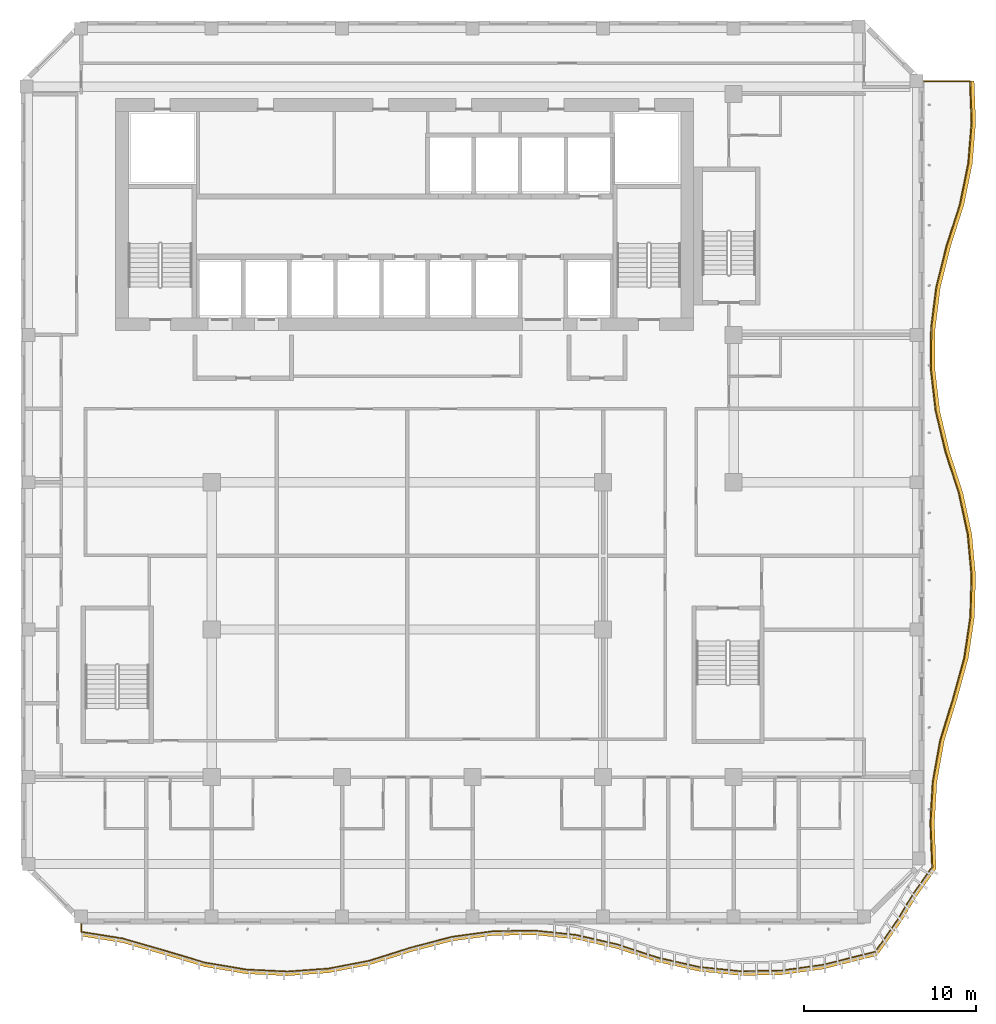
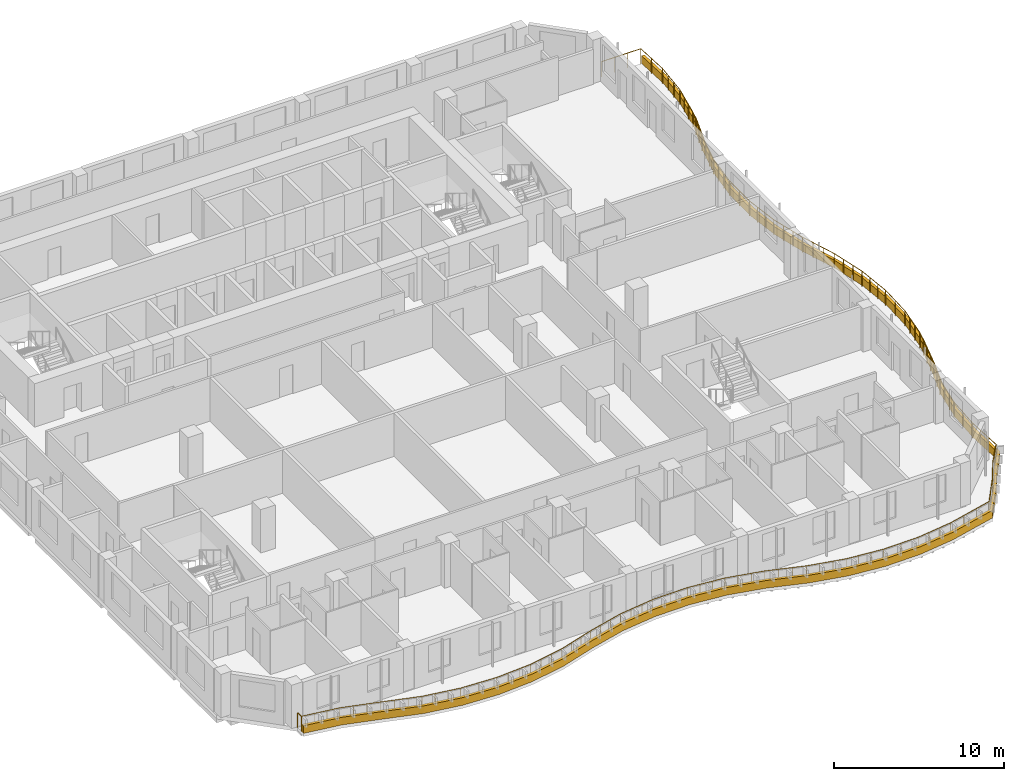
# One storey, part 17 of 21: 1 railing, 1 shading device.
"""IFC4 building model written with IfcOpenShell, lengths in metres."""

from ifc_helpers import new_model, si_unit, direction, frame, origin, origin_2d, place, context, subcontext, project, spatial, polyline, circle, outline, extrude, source, transform, mapped, material, layer, layer_set, type_object, element, save


model = new_model("IFC4")

# Units and contexts
model_context = context("Model", 3, precision=1e-05, world=origin(), true_north=direction((0.0, 1.0)))
body_context = subcontext(model_context, "Body", "Model", "MODEL_VIEW")
ifc_project = project(units=[si_unit("LENGTHUNIT", "METRE"), si_unit("AREAUNIT", "SQUARE_METRE"), si_unit("VOLUMEUNIT", "CUBIC_METRE"), si_unit("PLANEANGLEUNIT", "RADIAN"), si_unit("MASSUNIT", "GRAM", prefix="KILO")], contexts=[model_context])

# Site, building, storey
site_placement = place(None, origin())
site = spatial("IfcSite", under=ifc_project, at=site_placement, CompositionType="ELEMENT")
building_placement = place(site_placement, origin())
building = spatial("IfcBuilding", under=site, at=building_placement, Name="Kilnfold Tower and Market Hall", CompositionType="ELEMENT")
storey_placement = place(building_placement, frame((0.0, 0.0, 210.10009765625)))
storey = spatial("IfcBuildingStorey", under=building, at=storey_placement, Name="L51", CompositionType="ELEMENT", Elevation=210.10009765625)

# Railing
ifc_material_1 = material(Name="Stainless steel and laminated glass", Category="steel")
railing_type = type_object("IfcRailingType", Name="GUARD 1100", PredefinedType="GUARDRAIL", material=ifc_material_1)
railing_placement = place(storey_placement, frame((-17.75, -26.25, 0.0)))
element("IfcRailing", 1, at=railing_placement, inside=storey, type_object=railing_type, Name="Guard balcony L51", PredefinedType="GUARDRAIL", context=body_context, shape_type="SweptSolid", body=[
    extrude(circle(Radius=0.02490234375, at=origin_2d()), frame((0.0, 0.0, 1.0751953125), z_axis=(0.0, -1.0, 0.0), x_axis=(1.0, 0.0, 0.0)), (0.0, 0.0, 1.0), 0.4453125),
    extrude(circle(Radius=0.02490234375, at=origin_2d()), frame((0.0, -0.4453125, 1.0751953125), z_axis=(0.987650865761, -0.156670888686, 0.0), x_axis=(0.156670888686, 0.987650865761, 0.0)), (0.0, 0.0, 1.0), 2.4248046875),
    extrude(circle(Radius=0.02490234375, at=origin_2d()), frame((2.394775390625, -0.8251953125, 1.0751953125), z_axis=(0.961227557849, -0.275756381669, 0.0), x_axis=(0.275756381669, 0.961227557849, 0.0)), (0.0, 0.0, 1.0), 2.491455078125),
    extrude(circle(Radius=0.02490234375, at=origin_2d()), frame((4.78955078125, -1.51220703125, 1.0751953125), z_axis=(0.958239394231, -0.285967241733, 0.0), x_axis=(0.285967241733, 0.958239394231, 0.0)), (0.0, 0.0, 1.0), 2.498779296875),
    extrude(circle(Radius=0.02490234375, at=origin_2d()), frame((7.18408203125, -2.226806640625, 1.0751953125), z_axis=(0.985930978156, -0.167152942876, 0.0), x_axis=(0.167152942876, 0.985930978156, 0.0)), (0.0, 0.0, 1.0), 2.428955078125),
    extrude(circle(Radius=0.02490234375, at=origin_2d()), frame((9.578857421875, -2.6328125, 1.0751953125), z_axis=(0.998829571825, -0.048368238008, 0.0), x_axis=(0.048368238008, 0.998829571825, 0.0)), (0.0, 0.0, 1.0), 2.3974609375),
    extrude(circle(Radius=0.02490234375, at=origin_2d()), frame((11.9736328125, -2.748779296875, 1.0751953125), z_axis=(0.997499316582, 0.070676116324, 0.0), x_axis=(-0.070676116324, 0.997499316582, 0.0)), (0.0, 0.0, 1.0), 2.40087890625),
    extrude(circle(Radius=0.02490234375, at=origin_2d()), frame((14.368408203125, -2.5791015625, 1.0751953125), z_axis=(0.981864089464, 0.189586154087, 0.0), x_axis=(-0.189586154087, 0.981864089464, 0.0)), (0.0, 0.0, 1.0), 2.43896484375),
    extrude(circle(Radius=0.02490234375, at=origin_2d()), frame((16.76318359375, -2.11669921875, 1.0751953125), z_axis=(0.953347353448, 0.301875510226, 0.0), x_axis=(-0.301875510226, 0.953347353448, 0.0)), (0.0, 0.0, 1.0), 2.511962890625),
    extrude(circle(Radius=0.02490234375, at=origin_2d()), frame((19.157958984375, -1.3583984375, 1.0751953125), z_axis=(0.967366467513, 0.253381367765, 0.0), x_axis=(-0.253381367765, 0.967366467513, 0.0)), (0.0, 0.0, 1.0), 2.475341796875),
    extrude(circle(Radius=0.02490234375, at=origin_2d()), frame((21.552490234375, -0.731201171875, 1.0751953125), z_axis=(0.99093436759, 0.134346861253, 0.0), x_axis=(-0.134346861253, 0.99093436759, 0.0)), (0.0, 0.0, 1.0), 2.4169921875),
    extrude(circle(Radius=0.02490234375, at=origin_2d()), frame((23.947509765625, -0.406494140625, 1.0751953125), z_axis=(0.999879934552, 0.015495692297, 0.0), x_axis=(-0.015495692297, 0.999879934552, 0.0)), (0.0, 0.0, 1.0), 2.394775390625),
    extrude(circle(Radius=0.02490234375, at=origin_2d()), frame((26.342041015625, -0.369384765625, 1.0751953125), z_axis=(0.994626460365, -0.103528760937, 0.0), x_axis=(0.103528760937, 0.994626460365, 0.0)), (0.0, 0.0, 1.0), 2.40771484375),
    extrude(circle(Radius=0.02490234375, at=origin_2d()), frame((28.73681640625, -0.61865234375, 1.0751953125), z_axis=(0.974967577749, -0.2223470763, 0.0), x_axis=(0.2223470763, 0.974967577749, 0.0)), (0.0, 0.0, 1.0), 2.456298828125),
    extrude(circle(Radius=0.02490234375, at=origin_2d()), frame((31.131591796875, -1.164794921875, 1.0751953125), z_axis=(0.950660885118, -0.310231980147, 0.0), x_axis=(0.310231980147, 0.950660885118, 0.0)), (0.0, 0.0, 1.0), 2.51904296875),
    extrude(circle(Radius=0.02490234375, at=origin_2d()), frame((33.5263671875, -1.9462890625, 1.0751953125), z_axis=(0.975375488217, -0.220550803636, 0.0), x_axis=(0.220550803636, 0.975375488217, 0.0)), (0.0, 0.0, 1.0), 2.455322265625),
    extrude(circle(Radius=0.02490234375, at=origin_2d()), frame((35.921142578125, -2.48779296875, 1.0751953125), z_axis=(0.994833306385, -0.101521881914, 0.0), x_axis=(0.101521881914, 0.994833306385, 0.0)), (0.0, 0.0, 1.0), 2.4072265625),
    extrude(circle(Radius=0.02490234375, at=origin_2d()), frame((38.31591796875, -2.732177734375, 1.0751953125), z_axis=(0.99984982104, 0.017330186539, 0.0), x_axis=(-0.017330186539, 0.99984982104, 0.0)), (0.0, 0.0, 1.0), 2.394775390625),
    extrude(circle(Radius=0.02490234375, at=origin_2d()), frame((40.71044921875, -2.690673828125, 1.0751953125), z_axis=(0.990661625128, 0.136343479857, 0.0), x_axis=(-0.136343479857, 0.990661625128, 0.0)), (0.0, 0.0, 1.0), 2.417236328125),
    extrude(circle(Radius=0.02490234375, at=origin_2d()), frame((43.105224609375, -2.361083984375, 1.0751953125), z_axis=(0.970156174139, 0.242480922508, 0.0), x_axis=(-0.242480922508, 0.970156174139, 0.0)), (0.0, 0.0, 1.0), 3.150390625),
    extrude(circle(Radius=0.02490234375, at=origin_2d()), frame((46.16162109375, -1.59716796875, 1.0751953125), z_axis=(0.569599000783, 0.821922732565, 0.0), x_axis=(-0.821922732565, 0.569599000783, 0.0)), (0.0, 0.0, 1.0), 2.349365234375),
    extrude(circle(Radius=0.02490234375, at=origin_2d()), frame((47.499755859375, 0.333740234375, 1.0751953125), z_axis=(0.514179076421, 0.857682853606, 0.0), x_axis=(-0.857682853606, 0.514179076421, 0.0)), (0.0, 0.0, 1.0), 1.70068359375),
    extrude(circle(Radius=0.02490234375, at=origin_2d()), frame((48.374267578125, 1.79248046875, 1.0751953125), z_axis=(0.581089588577, 0.813839597247, 0.0), x_axis=(-0.813839597247, 0.581089588577, 0.0)), (0.0, 0.0, 1.0), 1.864990234375),
    extrude(circle(Radius=0.02490234375, at=origin_2d()), frame((49.4580078125, 3.310302734375, 1.0751953125), z_axis=(-0.041716911587, 0.999129470733, 0.0), x_axis=(-0.999129470733, -0.041716911587, 0.0)), (0.0, 0.0, 1.0), 2.586669921875),
    extrude(circle(Radius=0.02490234375, at=origin_2d()), frame((49.35009765625, 5.894775390625, 1.0751953125), z_axis=(0.058113467334, 0.998309984381, 0.0), x_axis=(-0.998309984381, 0.058113467334, 0.0)), (0.0, 0.0, 1.0), 2.39892578125),
    extrude(circle(Radius=0.02490234375, at=origin_2d()), frame((49.489501953125, 8.28955078125, 1.0751953125), z_axis=(0.177207427157, 0.984173525228, 0.0), x_axis=(-0.984173525228, 0.177207427157, 0.0)), (0.0, 0.0, 1.0), 2.43310546875),
    extrude(circle(Radius=0.02490234375, at=origin_2d()), frame((49.920654296875, 10.68408203125, 1.0751953125), z_axis=(0.294072154619, 0.95578322222, 0.0), x_axis=(-0.95578322222, 0.294072154619, 0.0)), (0.0, 0.0, 1.0), 2.505615234375),
    extrude(circle(Radius=0.02490234375, at=origin_2d()), frame((50.657470703125, 13.078857421875, 1.0751953125), z_axis=(0.265752630329, 0.964041254031, 0.0), x_axis=(-0.964041254031, 0.265752630329, 0.0)), (0.0, 0.0, 1.0), 2.484130859375),
    extrude(circle(Radius=0.02490234375, at=origin_2d()), frame((51.317626953125, 15.4736328125, 1.0751953125), z_axis=(0.146826411597, 0.989162274279, 0.0), x_axis=(-0.989162274279, 0.146826411597, 0.0)), (0.0, 0.0, 1.0), 2.4208984375),
    extrude(circle(Radius=0.02490234375, at=origin_2d()), frame((51.673095703125, 17.868408203125, 1.0751953125), z_axis=(0.027922638788, 0.999610087106, 0.0), x_axis=(-0.999610087106, 0.027922638788, 0.0)), (0.0, 0.0, 1.0), 2.395751953125),
    extrude(circle(Radius=0.02490234375, at=origin_2d()), frame((51.739990234375, 20.26318359375, 1.0751953125), z_axis=(-0.091066651573, 0.995844799641, 0.0), x_axis=(-0.995844799641, -0.091066651573, 0.0)), (0.0, 0.0, 1.0), 2.40478515625),
    extrude(circle(Radius=0.02490234375, at=origin_2d()), frame((51.52099609375, 22.657958984375, 1.0751953125), z_axis=(-0.209937537619, 0.977714800081, 0.0), x_axis=(-0.977714800081, -0.209937537619, 0.0)), (0.0, 0.0, 1.0), 2.44921875),
    extrude(circle(Radius=0.02490234375, at=origin_2d()), frame((51.0068359375, 25.052490234375, 1.0751953125), z_axis=(-0.309151832949, 0.951012694019, 0.0), x_axis=(-0.951012694019, -0.309151832949, 0.0)), (0.0, 0.0, 1.0), 2.518310546875),
    extrude(circle(Radius=0.02490234375, at=origin_2d()), frame((50.228271484375, 27.447509765625, 1.0751953125), z_axis=(-0.232911659761, 0.972497896526, 0.0), x_axis=(-0.972497896526, -0.232911659761, 0.0)), (0.0, 0.0, 1.0), 2.462158203125),
    extrude(circle(Radius=0.02490234375, at=origin_2d()), frame((49.65478515625, 29.842041015625, 1.0751953125), z_axis=(-0.114043601737, 0.993475745503, 0.0), x_axis=(-0.993475745503, -0.114043601737, 0.0)), (0.0, 0.0, 1.0), 2.410400390625),
    extrude(circle(Radius=0.02490234375, at=origin_2d()), frame((49.3798828125, 32.23681640625, 1.0751953125), z_axis=(0.004893406597, 0.999988027214, 0.0), x_axis=(-0.999988027214, 0.004893406597, 0.0)), (0.0, 0.0, 1.0), 2.394775390625),
    extrude(circle(Radius=0.02490234375, at=origin_2d()), frame((49.3916015625, 34.631591796875, 1.0751953125), z_axis=(0.123922678127, 0.992291877345, 0.0), x_axis=(-0.992291877345, 0.123922678127, 0.0)), (0.0, 0.0, 1.0), 2.413330078125),
    extrude(circle(Radius=0.02490234375, at=origin_2d()), frame((49.690673828125, 37.0263671875, 1.0751953125), z_axis=(0.24279158472, 0.970078474346, 0.0), x_axis=(-0.970078474346, 0.24279158472, 0.0)), (0.0, 0.0, 1.0), 2.46875),
    extrude(circle(Radius=0.02490234375, at=origin_2d()), frame((50.2900390625, 39.421142578125, 1.0751953125), z_axis=(0.306546267932, 0.95185575883, 0.0), x_axis=(-0.95185575883, 0.306546267932, 0.0)), (0.0, 0.0, 1.0), 2.515869140625),
    extrude(circle(Radius=0.02490234375, at=origin_2d()), frame((51.061279296875, 41.81591796875, 1.0751953125), z_axis=(0.200091140821, 0.979777288655, 0.0), x_axis=(-0.979777288655, 0.200091140821, 0.0)), (0.0, 0.0, 1.0), 2.44384765625),
    extrude(circle(Radius=0.02490234375, at=origin_2d()), frame((51.55029296875, 44.21044921875, 1.0751953125), z_axis=(0.081186911646, 0.996698894038, 0.0), x_axis=(-0.996698894038, 0.081186911646, 0.0)), (0.0, 0.0, 1.0), 2.402587890625),
    extrude(circle(Radius=0.02490234375, at=origin_2d()), frame((51.745361328125, 46.605224609375, 1.0751953125), z_axis=(-0.037795383853, 0.999285499224, 0.0), x_axis=(-0.999285499224, -0.037795383853, 0.0)), (0.0, 0.0, 1.0), 2.396484375),
    extrude(circle(Radius=0.02490234375, at=origin_2d()), frame((51.65478515625, 49.0, 1.0751953125), z_axis=(-1.0, 0.0, 0.0), x_axis=(0.0, -1.0, 0.0)), (0.0, 0.0, 1.0), 2.65478515625),
    extrude(circle(Radius=0.02490234375, at=origin_2d()), origin(), (0.0, 0.0, 1.0), 1.050048828125),
    extrude(circle(Radius=0.02490234375, at=origin_2d()), frame((0.0, -0.4453125, 0.0)), (0.0, 0.0, 1.0), 1.050048828125),
    extrude(circle(Radius=0.02490234375, at=origin_2d()), frame((0.79833984375, -0.572021484375, 0.0)), (0.0, 0.0, 1.0), 1.050048828125),
    extrude(circle(Radius=0.02490234375, at=origin_2d()), frame((1.596435546875, -0.698486328125, 0.0)), (0.0, 0.0, 1.0), 1.050048828125),
    extrude(circle(Radius=0.02490234375, at=origin_2d()), frame((2.394775390625, -0.8251953125, 0.0)), (0.0, 0.0, 1.0), 1.050048828125),
    extrude(circle(Radius=0.02490234375, at=origin_2d()), frame((3.193115234375, -1.05419921875, 0.0)), (0.0, 0.0, 1.0), 1.050048828125),
    extrude(circle(Radius=0.02490234375, at=origin_2d()), frame((3.9912109375, -1.283203125, 0.0)), (0.0, 0.0, 1.0), 1.050048828125),
    extrude(circle(Radius=0.02490234375, at=origin_2d()), frame((4.78955078125, -1.51220703125, 0.0)), (0.0, 0.0, 1.0), 1.050048828125),
    extrude(circle(Radius=0.02490234375, at=origin_2d()), frame((5.587646484375, -1.75048828125, 0.0)), (0.0, 0.0, 1.0), 1.050048828125),
    extrude(circle(Radius=0.02490234375, at=origin_2d()), frame((6.385986328125, -1.988525390625, 0.0)), (0.0, 0.0, 1.0), 1.050048828125),
    extrude(circle(Radius=0.02490234375, at=origin_2d()), frame((7.18408203125, -2.226806640625, 0.0)), (0.0, 0.0, 1.0), 1.050048828125),
    extrude(circle(Radius=0.02490234375, at=origin_2d()), frame((7.982421875, -2.362060546875, 0.0)), (0.0, 0.0, 1.0), 1.050048828125),
    extrude(circle(Radius=0.02490234375, at=origin_2d()), frame((8.780517578125, -2.49755859375, 0.0)), (0.0, 0.0, 1.0), 1.050048828125),
    extrude(circle(Radius=0.02490234375, at=origin_2d()), frame((9.578857421875, -2.6328125, 0.0)), (0.0, 0.0, 1.0), 1.050048828125),
    extrude(circle(Radius=0.02490234375, at=origin_2d()), frame((10.7763671875, -2.69091796875, 0.0)), (0.0, 0.0, 1.0), 1.050048828125),
    extrude(circle(Radius=0.02490234375, at=origin_2d()), frame((11.9736328125, -2.748779296875, 0.0)), (0.0, 0.0, 1.0), 1.050048828125),
    extrude(circle(Radius=0.02490234375, at=origin_2d()), frame((12.77197265625, -2.692138671875, 0.0)), (0.0, 0.0, 1.0), 1.050048828125),
    extrude(circle(Radius=0.02490234375, at=origin_2d()), frame((13.570068359375, -2.6357421875, 0.0)), (0.0, 0.0, 1.0), 1.050048828125),
    extrude(circle(Radius=0.02490234375, at=origin_2d()), frame((14.368408203125, -2.5791015625, 0.0)), (0.0, 0.0, 1.0), 1.050048828125),
    extrude(circle(Radius=0.02490234375, at=origin_2d()), frame((15.166748046875, -2.425048828125, 0.0)), (0.0, 0.0, 1.0), 1.050048828125),
    extrude(circle(Radius=0.02490234375, at=origin_2d()), frame((15.96484375, -2.270751953125, 0.0)), (0.0, 0.0, 1.0), 1.050048828125),
    extrude(circle(Radius=0.02490234375, at=origin_2d()), frame((16.76318359375, -2.11669921875, 0.0)), (0.0, 0.0, 1.0), 1.050048828125),
    extrude(circle(Radius=0.02490234375, at=origin_2d()), frame((17.5615234375, -1.864013671875, 0.0)), (0.0, 0.0, 1.0), 1.050048828125),
    extrude(circle(Radius=0.02490234375, at=origin_2d()), frame((18.359619140625, -1.611083984375, 0.0)), (0.0, 0.0, 1.0), 1.050048828125),
    extrude(circle(Radius=0.02490234375, at=origin_2d()), frame((19.157958984375, -1.3583984375, 0.0)), (0.0, 0.0, 1.0), 1.050048828125),
    extrude(circle(Radius=0.02490234375, at=origin_2d()), frame((19.9560546875, -1.1494140625, 0.0)), (0.0, 0.0, 1.0), 1.050048828125),
    extrude(circle(Radius=0.02490234375, at=origin_2d()), frame((20.75439453125, -0.940185546875, 0.0)), (0.0, 0.0, 1.0), 1.050048828125),
    extrude(circle(Radius=0.02490234375, at=origin_2d()), frame((21.552490234375, -0.731201171875, 0.0)), (0.0, 0.0, 1.0), 1.050048828125),
    extrude(circle(Radius=0.02490234375, at=origin_2d()), frame((22.350830078125, -0.623046875, 0.0)), (0.0, 0.0, 1.0), 1.050048828125),
    extrude(circle(Radius=0.02490234375, at=origin_2d()), frame((23.149169921875, -0.5146484375, 0.0)), (0.0, 0.0, 1.0), 1.050048828125),
    extrude(circle(Radius=0.02490234375, at=origin_2d()), frame((23.947509765625, -0.406494140625, 0.0)), (0.0, 0.0, 1.0), 1.050048828125),
    extrude(circle(Radius=0.02490234375, at=origin_2d()), frame((25.144775390625, -0.387939453125, 0.0)), (0.0, 0.0, 1.0), 1.050048828125),
    extrude(circle(Radius=0.02490234375, at=origin_2d()), frame((26.342041015625, -0.369384765625, 0.0)), (0.0, 0.0, 1.0), 1.050048828125),
    extrude(circle(Radius=0.02490234375, at=origin_2d()), frame((27.140380859375, -0.452392578125, 0.0)), (0.0, 0.0, 1.0), 1.050048828125),
    extrude(circle(Radius=0.02490234375, at=origin_2d()), frame((27.9384765625, -0.53564453125, 0.0)), (0.0, 0.0, 1.0), 1.050048828125),
    extrude(circle(Radius=0.02490234375, at=origin_2d()), frame((28.73681640625, -0.61865234375, 0.0)), (0.0, 0.0, 1.0), 1.050048828125),
    extrude(circle(Radius=0.02490234375, at=origin_2d()), frame((29.53515625, -0.80078125, 0.0)), (0.0, 0.0, 1.0), 1.050048828125),
    extrude(circle(Radius=0.02490234375, at=origin_2d()), frame((30.333251953125, -0.982666015625, 0.0)), (0.0, 0.0, 1.0), 1.050048828125),
    extrude(circle(Radius=0.02490234375, at=origin_2d()), frame((31.131591796875, -1.164794921875, 0.0)), (0.0, 0.0, 1.0), 1.050048828125),
    extrude(circle(Radius=0.02490234375, at=origin_2d()), frame((31.929931640625, -1.42529296875, 0.0)), (0.0, 0.0, 1.0), 1.050048828125),
    extrude(circle(Radius=0.02490234375, at=origin_2d()), frame((32.72802734375, -1.685791015625, 0.0)), (0.0, 0.0, 1.0), 1.050048828125),
    extrude(circle(Radius=0.02490234375, at=origin_2d()), frame((33.5263671875, -1.9462890625, 0.0)), (0.0, 0.0, 1.0), 1.050048828125),
    extrude(circle(Radius=0.02490234375, at=origin_2d()), frame((34.32470703125, -2.126708984375, 0.0)), (0.0, 0.0, 1.0), 1.050048828125),
    extrude(circle(Radius=0.02490234375, at=origin_2d()), frame((35.122802734375, -2.307373046875, 0.0)), (0.0, 0.0, 1.0), 1.050048828125),
    extrude(circle(Radius=0.02490234375, at=origin_2d()), frame((35.921142578125, -2.48779296875, 0.0)), (0.0, 0.0, 1.0), 1.050048828125),
    extrude(circle(Radius=0.02490234375, at=origin_2d()), frame((36.719482421875, -2.5693359375, 0.0)), (0.0, 0.0, 1.0), 1.050048828125),
    extrude(circle(Radius=0.02490234375, at=origin_2d()), frame((37.517578125, -2.650634765625, 0.0)), (0.0, 0.0, 1.0), 1.050048828125),
    extrude(circle(Radius=0.02490234375, at=origin_2d()), frame((38.31591796875, -2.732177734375, 0.0)), (0.0, 0.0, 1.0), 1.050048828125),
    extrude(circle(Radius=0.02490234375, at=origin_2d()), frame((39.51318359375, -2.71142578125, 0.0)), (0.0, 0.0, 1.0), 1.050048828125),
    extrude(circle(Radius=0.02490234375, at=origin_2d()), frame((40.71044921875, -2.690673828125, 0.0)), (0.0, 0.0, 1.0), 1.050048828125),
    extrude(circle(Radius=0.02490234375, at=origin_2d()), frame((41.5087890625, -2.580810546875, 0.0)), (0.0, 0.0, 1.0), 1.050048828125),
    extrude(circle(Radius=0.02490234375, at=origin_2d()), frame((42.306884765625, -2.470947265625, 0.0)), (0.0, 0.0, 1.0), 1.050048828125),
    extrude(circle(Radius=0.02490234375, at=origin_2d()), frame((43.105224609375, -2.361083984375, 0.0)), (0.0, 0.0, 1.0), 1.050048828125),
    extrude(circle(Radius=0.02490234375, at=origin_2d()), frame((44.1240234375, -2.1064453125, 0.0)), (0.0, 0.0, 1.0), 1.050048828125),
    extrude(circle(Radius=0.02490234375, at=origin_2d()), frame((45.142822265625, -1.851806640625, 0.0)), (0.0, 0.0, 1.0), 1.050048828125),
    extrude(circle(Radius=0.02490234375, at=origin_2d()), frame((46.16162109375, -1.59716796875, 0.0)), (0.0, 0.0, 1.0), 1.050048828125),
    extrude(circle(Radius=0.02490234375, at=origin_2d()), frame((46.83056640625, -0.6318359375, 0.0)), (0.0, 0.0, 1.0), 1.050048828125),
    extrude(circle(Radius=0.02490234375, at=origin_2d()), frame((47.499755859375, 0.333740234375, 0.0)), (0.0, 0.0, 1.0), 1.050048828125),
    extrude(circle(Radius=0.02490234375, at=origin_2d()), frame((47.93701171875, 1.06298828125, 0.0)), (0.0, 0.0, 1.0), 1.050048828125),
    extrude(circle(Radius=0.02490234375, at=origin_2d()), frame((48.374267578125, 1.79248046875, 0.0)), (0.0, 0.0, 1.0), 1.050048828125),
    extrude(circle(Radius=0.02490234375, at=origin_2d()), frame((48.916015625, 2.55126953125, 0.0)), (0.0, 0.0, 1.0), 1.050048828125),
    extrude(circle(Radius=0.02490234375, at=origin_2d()), frame((49.4580078125, 3.310302734375, 0.0)), (0.0, 0.0, 1.0), 1.050048828125),
    extrude(circle(Radius=0.02490234375, at=origin_2d()), frame((49.422119140625, 4.171875, 0.0)), (0.0, 0.0, 1.0), 1.050048828125),
    extrude(circle(Radius=0.02490234375, at=origin_2d()), frame((49.385986328125, 5.033203125, 0.0)), (0.0, 0.0, 1.0), 1.050048828125),
    extrude(circle(Radius=0.02490234375, at=origin_2d()), frame((49.35009765625, 5.894775390625, 0.0)), (0.0, 0.0, 1.0), 1.050048828125),
    extrude(circle(Radius=0.02490234375, at=origin_2d()), frame((49.419921875, 7.09228515625, 0.0)), (0.0, 0.0, 1.0), 1.050048828125),
    extrude(circle(Radius=0.02490234375, at=origin_2d()), frame((49.489501953125, 8.28955078125, 0.0)), (0.0, 0.0, 1.0), 1.050048828125),
    extrude(circle(Radius=0.02490234375, at=origin_2d()), frame((49.63330078125, 9.087646484375, 0.0)), (0.0, 0.0, 1.0), 1.050048828125),
    extrude(circle(Radius=0.02490234375, at=origin_2d()), frame((49.77685546875, 9.885986328125, 0.0)), (0.0, 0.0, 1.0), 1.050048828125),
    extrude(circle(Radius=0.02490234375, at=origin_2d()), frame((49.920654296875, 10.68408203125, 0.0)), (0.0, 0.0, 1.0), 1.050048828125),
    extrude(circle(Radius=0.02490234375, at=origin_2d()), frame((50.166259765625, 11.482421875, 0.0)), (0.0, 0.0, 1.0), 1.050048828125),
    extrude(circle(Radius=0.02490234375, at=origin_2d()), frame((50.411865234375, 12.280517578125, 0.0)), (0.0, 0.0, 1.0), 1.050048828125),
    extrude(circle(Radius=0.02490234375, at=origin_2d()), frame((50.657470703125, 13.078857421875, 0.0)), (0.0, 0.0, 1.0), 1.050048828125),
    extrude(circle(Radius=0.02490234375, at=origin_2d()), frame((50.87744140625, 13.877197265625, 0.0)), (0.0, 0.0, 1.0), 1.050048828125),
    extrude(circle(Radius=0.02490234375, at=origin_2d()), frame((51.09765625, 14.67529296875, 0.0)), (0.0, 0.0, 1.0), 1.050048828125),
    extrude(circle(Radius=0.02490234375, at=origin_2d()), frame((51.317626953125, 15.4736328125, 0.0)), (0.0, 0.0, 1.0), 1.050048828125),
    extrude(circle(Radius=0.02490234375, at=origin_2d()), frame((51.43603515625, 16.27197265625, 0.0)), (0.0, 0.0, 1.0), 1.050048828125),
    extrude(circle(Radius=0.02490234375, at=origin_2d()), frame((51.5546875, 17.070068359375, 0.0)), (0.0, 0.0, 1.0), 1.050048828125),
    extrude(circle(Radius=0.02490234375, at=origin_2d()), frame((51.673095703125, 17.868408203125, 0.0)), (0.0, 0.0, 1.0), 1.050048828125),
    extrude(circle(Radius=0.02490234375, at=origin_2d()), frame((51.70654296875, 19.06591796875, 0.0)), (0.0, 0.0, 1.0), 1.050048828125),
    extrude(circle(Radius=0.02490234375, at=origin_2d()), frame((51.739990234375, 20.26318359375, 0.0)), (0.0, 0.0, 1.0), 1.050048828125),
    extrude(circle(Radius=0.02490234375, at=origin_2d()), frame((51.6669921875, 21.0615234375, 0.0)), (0.0, 0.0, 1.0), 1.050048828125),
    extrude(circle(Radius=0.02490234375, at=origin_2d()), frame((51.593994140625, 21.859619140625, 0.0)), (0.0, 0.0, 1.0), 1.050048828125),
    extrude(circle(Radius=0.02490234375, at=origin_2d()), frame((51.52099609375, 22.657958984375, 0.0)), (0.0, 0.0, 1.0), 1.050048828125),
    extrude(circle(Radius=0.02490234375, at=origin_2d()), frame((51.349609375, 23.4560546875, 0.0)), (0.0, 0.0, 1.0), 1.050048828125),
    extrude(circle(Radius=0.02490234375, at=origin_2d()), frame((51.17822265625, 24.25439453125, 0.0)), (0.0, 0.0, 1.0), 1.050048828125),
    extrude(circle(Radius=0.02490234375, at=origin_2d()), frame((51.0068359375, 25.052490234375, 0.0)), (0.0, 0.0, 1.0), 1.050048828125),
    extrude(circle(Radius=0.02490234375, at=origin_2d()), frame((50.747314453125, 25.850830078125, 0.0)), (0.0, 0.0, 1.0), 1.050048828125),
    extrude(circle(Radius=0.02490234375, at=origin_2d()), frame((50.48779296875, 26.649169921875, 0.0)), (0.0, 0.0, 1.0), 1.050048828125),
    extrude(circle(Radius=0.02490234375, at=origin_2d()), frame((50.228271484375, 27.447509765625, 0.0)), (0.0, 0.0, 1.0), 1.050048828125),
    extrude(circle(Radius=0.02490234375, at=origin_2d()), frame((50.037109375, 28.24560546875, 0.0)), (0.0, 0.0, 1.0), 1.050048828125),
    extrude(circle(Radius=0.02490234375, at=origin_2d()), frame((49.845947265625, 29.0439453125, 0.0)), (0.0, 0.0, 1.0), 1.050048828125),
    extrude(circle(Radius=0.02490234375, at=origin_2d()), frame((49.65478515625, 29.842041015625, 0.0)), (0.0, 0.0, 1.0), 1.050048828125),
    extrude(circle(Radius=0.02490234375, at=origin_2d()), frame((49.563232421875, 30.640380859375, 0.0)), (0.0, 0.0, 1.0), 1.050048828125),
    extrude(circle(Radius=0.02490234375, at=origin_2d()), frame((49.471435546875, 31.4384765625, 0.0)), (0.0, 0.0, 1.0), 1.050048828125),
    extrude(circle(Radius=0.02490234375, at=origin_2d()), frame((49.3798828125, 32.23681640625, 0.0)), (0.0, 0.0, 1.0), 1.050048828125),
    extrude(circle(Radius=0.02490234375, at=origin_2d()), frame((49.3857421875, 33.43408203125, 0.0)), (0.0, 0.0, 1.0), 1.050048828125),
    extrude(circle(Radius=0.02490234375, at=origin_2d()), frame((49.3916015625, 34.631591796875, 0.0)), (0.0, 0.0, 1.0), 1.050048828125),
    extrude(circle(Radius=0.02490234375, at=origin_2d()), frame((49.4912109375, 35.429931640625, 0.0)), (0.0, 0.0, 1.0), 1.050048828125),
    extrude(circle(Radius=0.02490234375, at=origin_2d()), frame((49.591064453125, 36.22802734375, 0.0)), (0.0, 0.0, 1.0), 1.050048828125),
    extrude(circle(Radius=0.02490234375, at=origin_2d()), frame((49.690673828125, 37.0263671875, 0.0)), (0.0, 0.0, 1.0), 1.050048828125),
    extrude(circle(Radius=0.02490234375, at=origin_2d()), frame((49.890380859375, 37.82470703125, 0.0)), (0.0, 0.0, 1.0), 1.050048828125),
    extrude(circle(Radius=0.02490234375, at=origin_2d()), frame((50.09033203125, 38.622802734375, 0.0)), (0.0, 0.0, 1.0), 1.050048828125),
    extrude(circle(Radius=0.02490234375, at=origin_2d()), frame((50.2900390625, 39.421142578125, 0.0)), (0.0, 0.0, 1.0), 1.050048828125),
    extrude(circle(Radius=0.02490234375, at=origin_2d()), frame((50.547119140625, 40.219482421875, 0.0)), (0.0, 0.0, 1.0), 1.050048828125),
    extrude(circle(Radius=0.02490234375, at=origin_2d()), frame((50.80419921875, 41.017578125, 0.0)), (0.0, 0.0, 1.0), 1.050048828125),
    extrude(circle(Radius=0.02490234375, at=origin_2d()), frame((51.061279296875, 41.81591796875, 0.0)), (0.0, 0.0, 1.0), 1.050048828125),
    extrude(circle(Radius=0.02490234375, at=origin_2d()), frame((51.224365234375, 42.614013671875, 0.0)), (0.0, 0.0, 1.0), 1.050048828125),
    extrude(circle(Radius=0.02490234375, at=origin_2d()), frame((51.38720703125, 43.412353515625, 0.0)), (0.0, 0.0, 1.0), 1.050048828125),
    extrude(circle(Radius=0.02490234375, at=origin_2d()), frame((51.55029296875, 44.21044921875, 0.0)), (0.0, 0.0, 1.0), 1.050048828125),
    extrude(circle(Radius=0.02490234375, at=origin_2d()), frame((51.615234375, 45.0087890625, 0.0)), (0.0, 0.0, 1.0), 1.050048828125),
    extrude(circle(Radius=0.02490234375, at=origin_2d()), frame((51.680419921875, 45.806884765625, 0.0)), (0.0, 0.0, 1.0), 1.050048828125),
    extrude(circle(Radius=0.02490234375, at=origin_2d()), frame((51.745361328125, 46.605224609375, 0.0)), (0.0, 0.0, 1.0), 1.050048828125),
    extrude(circle(Radius=0.02490234375, at=origin_2d()), frame((51.7001953125, 47.802734375, 0.0)), (0.0, 0.0, 1.0), 1.050048828125),
    extrude(circle(Radius=0.02490234375, at=origin_2d()), frame((51.65478515625, 49.0, 0.0)), (0.0, 0.0, 1.0), 1.050048828125),
    extrude(circle(Radius=0.02490234375, at=origin_2d()), frame((50.769775390625, 49.0, 0.0)), (0.0, 0.0, 1.0), 1.050048828125),
    extrude(circle(Radius=0.02490234375, at=origin_2d()), frame((49.885009765625, 49.0, 0.0)), (0.0, 0.0, 1.0), 1.050048828125),
    extrude(circle(Radius=0.02490234375, at=origin_2d()), frame((49.0, 49.0, 0.0)), (0.0, 0.0, 1.0), 1.050048828125),
])

# Shading device
ifc_material_2 = material(Name="Precast concrete C50/60", Category="concrete")
ifc_layer = layer(ifc_material_2, 0.550048828125)
ifc_layer_set = layer_set([ifc_layer], Name="Precast concrete C50/60")
shading_device_type = type_object("IfcShadingDeviceType", Name="BALCONY UPSTAND 550", PredefinedType="USERDEFINED", material=ifc_layer_set)
shared_shape = source(origin(), body_context, "Body", "SweptSolid", [
    extrude(outline(polyline([(-17.75, -26.9453125), (-15.355224609375, -27.3251953125), (-12.96044921875, -28.01220703125), (-10.56591796875, -28.726806640625), (-8.171142578125, -29.1328125), (-5.7763671875, -29.248779296875), (-3.381591796875, -29.0791015625), (-0.98681640625, -28.61669921875), (1.407958984375, -27.8583984375), (3.802490234375, -27.231201171875), (6.197509765625, -26.906494140625), (8.592041015625, -26.869384765625), (10.98681640625, -27.11865234375), (13.381591796875, -27.664794921875), (15.7763671875, -28.4462890625), (18.171142578125, -28.98779296875), (20.56591796875, -29.232177734375), (22.96044921875, -29.190673828125), (25.355224609375, -28.861083984375), (28.507080078125, -28.078125), (29.926513671875, -26.093017578125), (30.801025390625, -24.634521484375), (31.93896484375, -23.035400390625), (31.85009765625, -20.355224609375), (31.989501953125, -17.96044921875), (32.420654296875, -15.56591796875), (33.157470703125, -13.171142578125), (33.817626953125, -10.7763671875), (34.173095703125, -8.381591796875), (34.239990234375, -5.98681640625), (34.02099609375, -3.592041015625), (33.5068359375, -1.197509765625), (32.728271484375, 1.197509765625), (32.15478515625, 3.592041015625), (31.8798828125, 5.98681640625), (31.8916015625, 8.381591796875), (32.190673828125, 10.7763671875), (32.7900390625, 13.171142578125), (33.561279296875, 15.56591796875), (34.05029296875, 17.96044921875), (34.245361328125, 20.355224609375), (34.15478515625, 22.75), (33.95458984375, 22.75), (34.04541015625, 20.355224609375), (33.850341796875, 17.96044921875), (33.361328125, 15.56591796875), (32.590087890625, 13.171142578125), (31.99072265625, 10.7763671875), (31.691650390625, 8.381591796875), (31.679931640625, 5.98681640625), (31.95458984375, 3.592041015625), (32.5283203125, 1.197509765625), (33.306884765625, -1.197509765625), (33.821044921875, -3.592041015625), (34.0400390625, -5.98681640625), (33.97314453125, -8.381591796875), (33.61767578125, -10.7763671875), (32.95751953125, -13.171142578125), (32.220703125, -15.56591796875), (31.78955078125, -17.96044921875), (31.64990234375, -20.355224609375), (31.754150390625, -22.958984375), (30.65966796875, -24.492919921875), (29.78515625, -25.95166015625), (28.4306640625, -27.893310546875), (25.355224609375, -28.660888671875), (22.96044921875, -28.990478515625), (20.56591796875, -29.0322265625), (18.171142578125, -28.78759765625), (15.7763671875, -28.246337890625), (13.381591796875, -27.46484375), (10.98681640625, -26.918701171875), (8.592041015625, -26.66943359375), (6.197509765625, -26.70654296875), (3.802490234375, -27.03125), (1.407958984375, -27.658447265625), (-0.98681640625, -28.416748046875), (-3.381591796875, -28.879150390625), (-5.7763671875, -29.048583984375), (-8.171142578125, -28.932861328125), (-10.56591796875, -28.526611328125), (-12.96044921875, -27.81201171875), (-15.355224609375, -27.125244140625), (-17.75, -26.745361328125), (-17.75, -26.9453125)])), origin(), (0.0, 0.0, 1.0), 0.5498046875),
])
shading_device_placement = place(storey_placement, origin())
element("IfcShadingDevice", 2, at=shading_device_placement, inside=storey, type_object=shading_device_type, Name="Balcony fascia L51", ObjectType="FASCIA", PredefinedType="USERDEFINED", context=body_context, shape_type="MappedRepresentation", body=[
    mapped(shared_shape, transform((0.0, 0.0, 0.0))),
])

save(model, "model.ifc")
